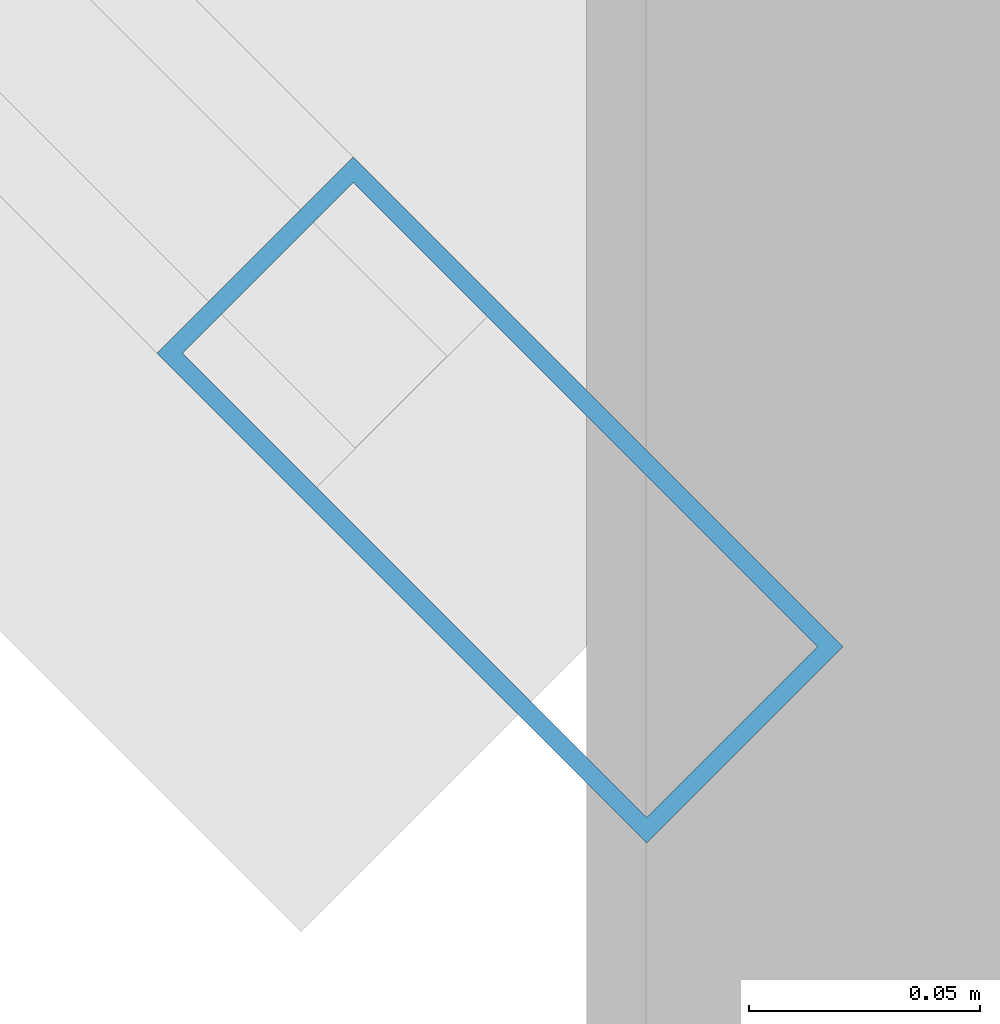
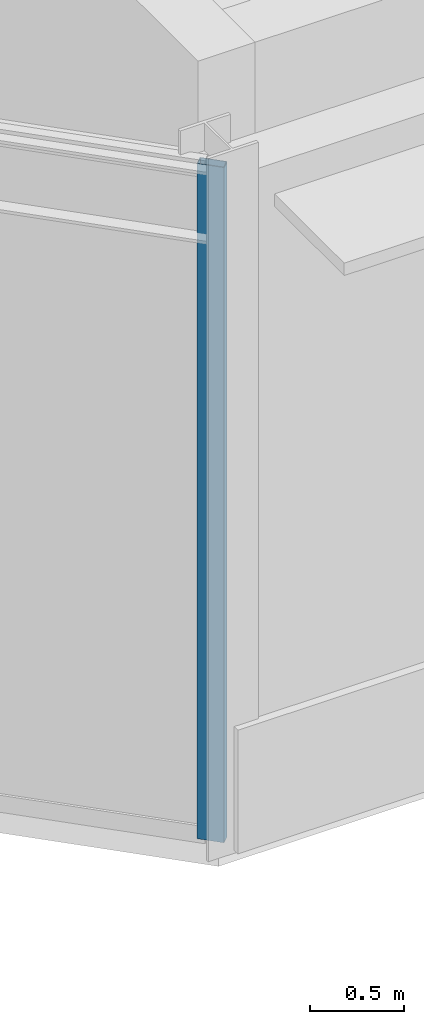
# One storey, part 19 of 89: 1 member, 1 element without a shape of its own.
"""IFC4 building model written with IfcOpenShell, lengths in metres."""

from ifc_helpers import new_model, si_unit, direction, frame, origin, origin_2d, place, context, subcontext, project, spatial, hollow_rectangle, extrude, material, material_profile, profile_set, type_object, element, aggregate, save


model = new_model("IFC4")

# Units and contexts
model_context = context("Model", 3, precision=1e-05, world=origin(), true_north=direction((0.0, 1.0)))
body_context = subcontext(model_context, "Body", "Model", "MODEL_VIEW")
ifc_project = project(units=[si_unit("LENGTHUNIT", "METRE"), si_unit("AREAUNIT", "SQUARE_METRE"), si_unit("VOLUMEUNIT", "CUBIC_METRE"), si_unit("PLANEANGLEUNIT", "RADIAN"), si_unit("MASSUNIT", "GRAM", prefix="KILO")], contexts=[model_context])

# Site, building, storey
site_placement = place(None, origin())
site = spatial("IfcSite", under=ifc_project, at=site_placement, CompositionType="ELEMENT")
building_placement = place(site_placement, origin())
building = spatial("IfcBuilding", under=site, at=building_placement, Name="Almandine Court Research Institute", CompositionType="ELEMENT")
storey_placement = place(building_placement, frame((0.0, 0.0, 18.89990234375)))
storey = spatial("IfcBuildingStorey", under=building, at=storey_placement, Name="L04", CompositionType="ELEMENT", Elevation=18.89990234375)

# Curtain wall, member
ifc_material_1 = material(Name="Unitised Curtain Wall Framing and Solar Glazing", Category="glass")
curtain_wall_type = type_object("IfcCurtainWallType", Name="CW-CWG-08", PredefinedType="USERDEFINED", material=ifc_material_1)
curtain_wall_placement = place(storey_placement, origin())
curtain_wall = element("IfcCurtainWall", 1, at=curtain_wall_placement, inside=storey, type_object=curtain_wall_type, Name="L04 Cleanroom SW Chamfer Glazing", ObjectType="UNITISED GLAZING", PredefinedType="USERDEFINED")
ifc_material_2 = material(Name="Anodised Aluminium AW-6063-T6", Category="aluminium")
ifc_material_profile = material_profile(ifc_material_2, hollow_rectangle(XDim=0.06005859375, YDim=0.14990234375, WallThickness=0.00390625, at=origin_2d()), Name="ALU RHS 60x150x4")
ifc_profile_set = profile_set([ifc_material_profile], Name="Anodised Aluminium AW-6063-T6")
member_type = type_object("IfcMemberType", Name="CWMul-60x150", PredefinedType="MULLION", material=ifc_profile_set)
member_placement = place(storey_placement, frame((10.77490234375, 84.025146484375, 0.0), z_axis=(0.0, 0.0, 1.0), x_axis=(-0.707106781187, -0.707106781187, 0.0)))
member = element("IfcMember", 2, at=member_placement, type_object=member_type, Name="CWG-08 mullion 1", PredefinedType="MULLION", context=body_context, shape_type="SweptSolid", body=[
    extrude(hollow_rectangle(XDim=0.06005859375, YDim=0.14990234375, WallThickness=0.00390625, at=origin_2d()), origin(), (0.0, 0.0, 1.0), 4.3701171875),
])
aggregate(curtain_wall, [member])

save(model, "model.ifc")
